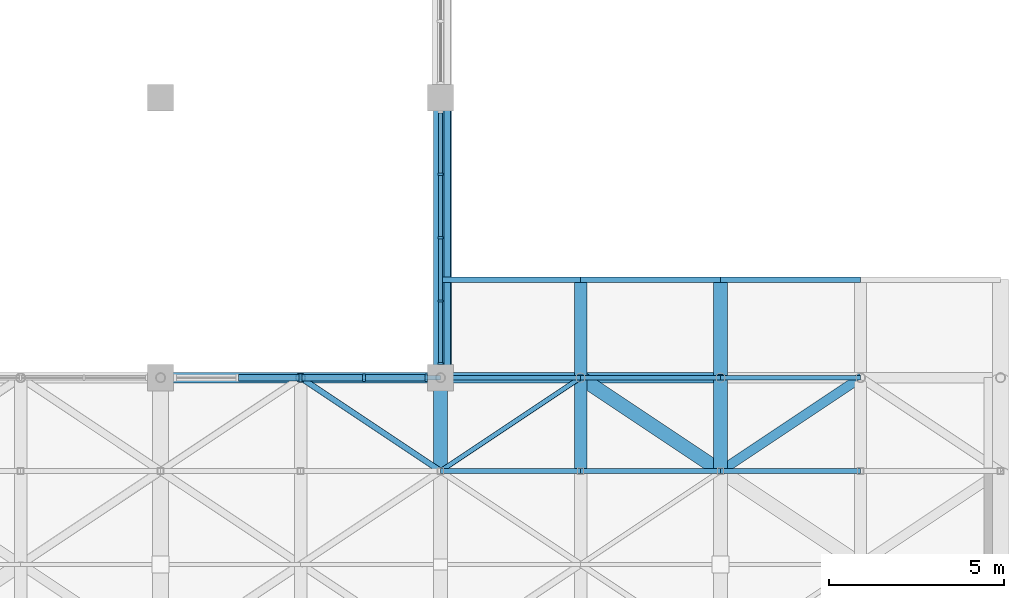
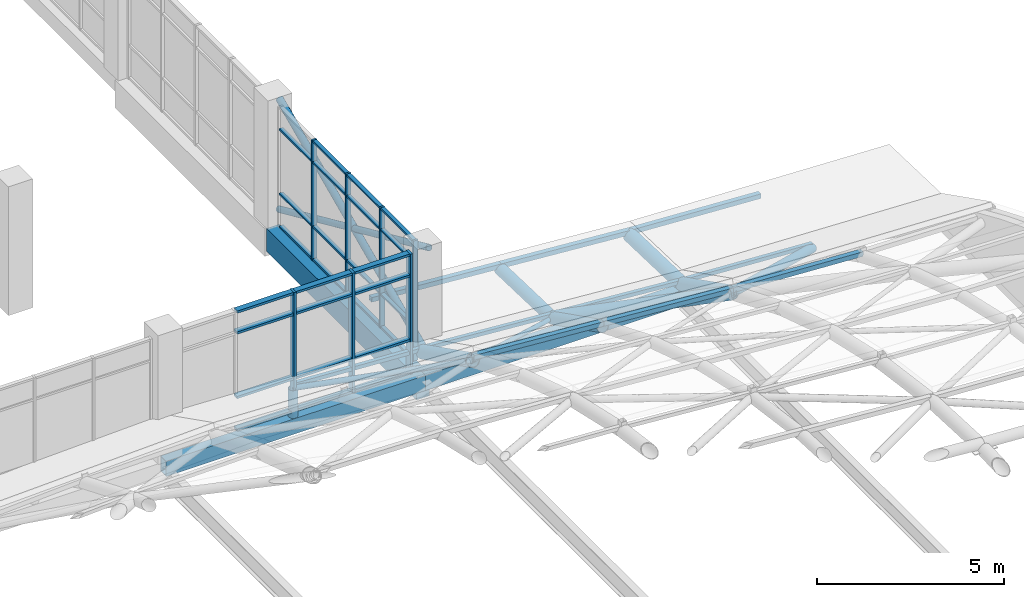
# One storey, part 34 of 72: 51 members, 8 beams, 2 elements without a shape of their own.
"""IFC4 building model written with IfcOpenShell, lengths in metres."""

import ifcopenshell
import ifcopenshell.guid

model = None  # the IFC model being written
_history = None  # IfcOwnerHistory: only IFC2X3 demands one
_inside = {}  # id of a spatial element -> (the spatial element, [elements in it])
_under = {}  # id of a project, library or spatial element -> (it, [spatial elements below it])
_declared = {}  # id of a project -> (the project, [libraries it declares])
_typed = {}  # id of a type object -> (the type object, [elements of that type])
_made_of = {}  # id of a material, layer set ... -> (it, [elements and type objects made of it])


def new_model(schema):
    """Start an empty IFC model of exactly this schema.

    Asked for "IFC4X3", IfcOpenShell would pick the latest addendum, in which some entities
    have other attributes; the version numbers below select the first issue.
    IFC2X3 requires an IfcOwnerHistory on every rooted entity: one is made here for all.
    """
    global model, _history
    if schema == "IFC4X3":
        model = ifcopenshell.file(schema_version=(4, 3, 0, 0))
    else:
        model = ifcopenshell.file(schema=schema)
    _inside.clear()
    _under.clear()
    _declared.clear()
    _typed.clear()
    _made_of.clear()
    _history = None
    if model.schema == "IFC2X3":
        org = make("IfcOrganization", Name="unknown")
        user = make(
            "IfcPersonAndOrganization",
            ThePerson=make("IfcPerson", FamilyName="unknown"),
            TheOrganization=org,
        )
        app = make(
            "IfcApplication",
            ApplicationDeveloper=org,
            Version="unknown",
            ApplicationFullName="unknown",
            ApplicationIdentifier="unknown",
        )
        _history = make(
            "IfcOwnerHistory",
            OwningUser=user,
            OwningApplication=app,
            ChangeAction="ADDED",
            CreationDate=0,
        )
    return model


def make(cls, **values):
    """One entity of the class cls with the attributes given. An attribute that is None is left unset."""
    return model.create_entity(
        cls, **{name: value for name, value in values.items() if value is not None}
    )


def rooted(cls, **values):
    """An entity with a GlobalId (a new one), such as an element, a storey or a relation."""
    return make(cls, GlobalId=ifcopenshell.guid.new(), OwnerHistory=_history, **values)


def si_unit(unit_type, name, prefix=None):
    """IfcSIUnit, for example si_unit("LENGTHUNIT", "METRE", prefix="MILLI")."""
    return make("IfcSIUnit", UnitType=unit_type, Prefix=prefix, Name=name)


def assignment(units):
    """IfcUnitAssignment: the units of a project."""
    return None if units is None else make("IfcUnitAssignment", Units=units)


def point(xyz):
    """IfcCartesianPoint."""
    return None if xyz is None else make("IfcCartesianPoint", Coordinates=xyz)


def direction(xyz):
    """IfcDirection."""
    return None if xyz is None else make("IfcDirection", DirectionRatios=xyz)


def frame(location, z_axis=None, x_axis=None):
    """IfcAxis2Placement3D, a coordinate frame: its origin and axes. An axis left out is left unset."""
    return make(
        "IfcAxis2Placement3D",
        Location=point(location),
        Axis=direction(z_axis),
        RefDirection=direction(x_axis),
    )


def frame_2d(location, x_axis=None):
    """IfcAxis2Placement2D, a coordinate frame in the plane: its origin and x axis."""
    return make(
        "IfcAxis2Placement2D", Location=point(location), RefDirection=direction(x_axis)
    )


def origin():
    """The frame at (0, 0, 0) with its axes left unset."""
    return frame((0.0, 0.0, 0.0))


def origin_2d():
    """The frame at (0, 0) in the plane with its x axis left unset."""
    return frame_2d((0.0, 0.0))


def place(relative_to, where):
    """IfcLocalPlacement: puts the frame where relative to a parent placement (None: the world)."""
    return make(
        "IfcLocalPlacement", PlacementRelTo=relative_to, RelativePlacement=where
    )


def context(
    kind, dimensions, precision=None, world=None, true_north=None, identifier=None
):
    """IfcGeometricRepresentationContext, for example the 3D "Model" context."""
    return make(
        "IfcGeometricRepresentationContext",
        ContextIdentifier=identifier,
        ContextType=kind,
        CoordinateSpaceDimension=dimensions,
        Precision=precision,
        WorldCoordinateSystem=world,
        TrueNorth=true_north,
    )


def subcontext(parent, identifier, kind, view, scale=None):
    """IfcGeometricRepresentationSubContext, for example "Body" below "Model"."""
    return make(
        "IfcGeometricRepresentationSubContext",
        ContextIdentifier=identifier,
        ContextType=kind,
        ParentContext=parent,
        TargetScale=scale,
        TargetView=view,
    )


def project(units=None, contexts=None):
    """IfcProject with its units and contexts."""
    return rooted(
        "IfcProject",
        Name="project",
        RepresentationContexts=contexts,
        UnitsInContext=assignment(units),
    )


def spatial(cls, under=None, at=None, **own):
    """A site, building, storey or space (cls), placed at a placement, below another one or the project."""
    s = rooted(cls, ObjectPlacement=at, **own)
    if under is not None:
        _under.setdefault(under.id(), (under, []))[1].append(s)
    return s


def profile(cls, at=None, kind="AREA", **sizes):
    """A parametric profile (cls). Its sizes go by their IFC names, for example OverallWidth=200.0."""
    return make(cls, ProfileType=kind, Position=at, **sizes)


def rectangle(**sizes):
    """IfcRectangleProfileDef."""
    return profile("IfcRectangleProfileDef", **sizes)


def hollow_rectangle(**sizes):
    """IfcRectangleHollowProfileDef."""
    return profile("IfcRectangleHollowProfileDef", **sizes)


def hollow_circle(**sizes):
    """IfcCircleHollowProfileDef."""
    return profile("IfcCircleHollowProfileDef", **sizes)


def extrude(swept, where, along, depth):
    """IfcExtrudedAreaSolid: the profile swept, set in the frame where, extruded along a direction by depth."""
    return make(
        "IfcExtrudedAreaSolid",
        SweptArea=swept,
        Position=where,
        ExtrudedDirection=direction(along),
        Depth=depth,
    )


def shape(context_of_items, identifier, shape_type, items):
    """IfcShapeRepresentation: the items that make up one representation, for example the "Body"."""
    return make(
        "IfcShapeRepresentation",
        ContextOfItems=context_of_items,
        RepresentationIdentifier=identifier,
        RepresentationType=shape_type,
        Items=items,
    )


def material(Name=None, Category=None):
    """IfcMaterial."""
    return make("IfcMaterial", Name=Name, Category=Category)


def material_profile(
    of_material, cross_section, Name=None, Category=None, Priority=None
):
    """IfcMaterialProfile: a cross section and its material."""
    return make(
        "IfcMaterialProfile",
        Name=Name,
        Material=of_material,
        Profile=cross_section,
        Priority=Priority,
        Category=Category,
    )


def profile_set(profiles, Name=None, composite=None):
    """IfcMaterialProfileSet."""
    return make(
        "IfcMaterialProfileSet",
        Name=Name,
        MaterialProfiles=profiles,
        CompositeProfile=composite,
    )


def made_of(thing, what):
    """Note that an element or type object is made of a material, layer set ...; save() writes the relation."""
    if what is not None:
        _made_of.setdefault(what.id(), (what, []))[1].append(thing)
    return thing


def type_object(cls, material=None, **own):
    """A type object (cls), such as IfcWallType, which elements share."""
    return made_of(rooted(cls, **own), material)


def element(
    cls,
    number,
    at=None,
    inside=None,
    cuts=None,
    type_object=None,
    material=None,
    context=None,
    identifier="Body",
    shape_type=None,
    held_by="IfcProductDefinitionShape",
    body=None,
    shapes=None,
    **own,
):
    """One element of the class cls, such as IfcWall. Its Tag is "e" and its number.

    at: its placement. inside: the storey or other place that contains it. cuts: it is an
    opening in that element (IfcRelVoidsElement). A single representation is given by context,
    identifier, shape_type and body (its items); several are given by shapes. held_by: the class
    of the entity that holds the representations. save() writes the other relations.
    """
    e = rooted(cls, Tag="e%d" % number, ObjectPlacement=at, **own)
    if body is not None:
        shapes = [shape(context, identifier, shape_type, body)]
    if shapes is not None:
        e.Representation = make(held_by, Representations=shapes)
    if inside is not None:
        _inside.setdefault(inside.id(), (inside, []))[1].append(e)
    if cuts is not None:
        rooted(
            "IfcRelVoidsElement", RelatingBuildingElement=cuts, RelatedOpeningElement=e
        )
    if type_object is not None:
        _typed.setdefault(type_object.id(), (type_object, []))[1].append(e)
    return made_of(e, material)


def aggregate(whole, parts):
    """IfcRelAggregates: a whole, such as a stair, and the parts it consists of."""
    return rooted("IfcRelAggregates", RelatingObject=whole, RelatedObjects=parts)


def save(model, path):
    """Write the relations noted so far, then the file.

    IfcRelAggregates (storeys below a building ...), IfcRelContainedInSpatialStructure (elements
    in a storey), IfcRelDefinesByType, IfcRelAssociatesMaterial and IfcRelDeclares: one each for
    every whole, place, type object, material and project.
    """
    for whole, parts in _under.values():
        aggregate(whole, parts)
    for where, things in _inside.values():
        rooted(
            "IfcRelContainedInSpatialStructure",
            RelatedElements=things,
            RelatingStructure=where,
        )
    for kind, things in _typed.values():
        rooted("IfcRelDefinesByType", RelatedObjects=things, RelatingType=kind)
    for what, things in _made_of.values():
        rooted("IfcRelAssociatesMaterial", RelatedObjects=things, RelatingMaterial=what)
    for by, libraries in _declared.values():
        rooted("IfcRelDeclares", RelatingContext=by, RelatedDefinitions=libraries)
    model.write(path)


model = new_model("IFC4")

# Units and contexts
model_context = context("Model", 3, precision=1e-05, world=origin(), true_north=direction((0.0, 1.0)))
body_context = subcontext(model_context, "Body", "Model", "MODEL_VIEW")
ifc_project = project(units=[si_unit("LENGTHUNIT", "METRE"), si_unit("AREAUNIT", "SQUARE_METRE"), si_unit("VOLUMEUNIT", "CUBIC_METRE"), si_unit("PLANEANGLEUNIT", "RADIAN"), si_unit("MASSUNIT", "GRAM", prefix="KILO")], contexts=[model_context])

# Site, building, storey
site_placement = place(None, origin())
site = spatial("IfcSite", under=ifc_project, at=site_placement, CompositionType="ELEMENT")
building_placement = place(site_placement, origin())
building = spatial("IfcBuilding", under=site, at=building_placement, Name="Tenunan Teduh Sports Hall", CompositionType="ELEMENT")
storey_placement = place(building_placement, frame((0.0, 0.0, 15.0)))
storey = spatial("IfcBuildingStorey", under=building, at=storey_placement, Name="L03", CompositionType="ELEMENT", Elevation=15.0)

# Beam
ifc_material_1 = material(Name="Concrete C40/50", Category="concrete")
ifc_material_profile_1 = material_profile(ifc_material_1, rectangle(XDim=0.39990234375, YDim=0.75, at=origin_2d()), Name="RCB 400x750")
ifc_profile_set_1 = profile_set([ifc_material_profile_1], Name="Concrete C40/50")
beam_type_1 = type_object("IfcBeamType", Name="BM-RC-400x750", PredefinedType="BEAM", material=ifc_profile_set_1)
beam_1_placement = place(storey_placement, frame((154.0, 46.0, -0.614990234375), z_axis=(0.0, 1.0, 0.0), x_axis=(-1.0, 0.0, 0.0)))
element("IfcBeam", 1, at=beam_1_placement, inside=storey, type_object=beam_type_1, Name="BM-B-09-L03-1941", PredefinedType="BEAM", context=body_context, shape_type="SweptSolid", body=[
    extrude(rectangle(XDim=0.39990234375, YDim=0.75, at=origin_2d()), origin(), (0.0, 0.0, 1.0), 8.0),
])

# Curtain wall, members
ifc_material_2 = material(Name="Anodised aluminium", Category="aluminium")
curtain_wall_type_1 = type_object("IfcCurtainWallType", Name="CW-UNIT-2", PredefinedType="NOTDEFINED", material=ifc_material_2)
curtain_wall_1_placement = place(storey_placement, origin())
curtain_wall_1 = element("IfcCurtainWall", 2, at=curtain_wall_1_placement, inside=storey, type_object=curtain_wall_type_1, Name="CW-CWM-150-L03-147", PredefinedType="NOTDEFINED")
ifc_material_3 = material(Name="Anodised aluminium", Category="aluminium")
ifc_material_profile_2 = material_profile(ifc_material_3, rectangle(XDim=0.06005859375, YDim=0.14990234375, at=origin_2d()), Name="CWM 60x150")
ifc_profile_set_2 = profile_set([ifc_material_profile_2], Name="Anodised aluminium")
member_type_1 = type_object("IfcMemberType", Name="CWM-150", PredefinedType="MULLION", material=ifc_profile_set_2)
member_1_placement = place(storey_placement, frame((154.0, 46.405029296875, 0.0), z_axis=(0.0, 0.0, 1.0), x_axis=(0.0, 1.0, 0.0)))
member_1 = element("IfcMember", 3, at=member_1_placement, type_object=member_type_1, Name="CW-02 mullion 1", PredefinedType="MULLION", context=body_context, shape_type="SweptSolid", body=[
    extrude(rectangle(XDim=0.06005859375, YDim=0.14990234375, at=origin_2d()), origin(), (0.0, 0.0, 1.0), 3.919921875),
])
member_2_placement = place(storey_placement, frame((154.0, 48.1875, 0.0), z_axis=(0.0, 0.0, 1.0), x_axis=(0.0, 1.0, 0.0)))
member_2 = element("IfcMember", 4, at=member_2_placement, type_object=member_type_1, Name="CW-02 mullion 2", PredefinedType="MULLION", context=body_context, shape_type="SweptSolid", body=[
    extrude(rectangle(XDim=0.06005859375, YDim=0.14990234375, at=origin_2d()), origin(), (0.0, 0.0, 1.0), 3.919921875),
])
member_3_placement = place(storey_placement, frame((154.0, 50.0, 0.0), z_axis=(0.0, 0.0, 1.0), x_axis=(0.0, 1.0, 0.0)))
member_3 = element("IfcMember", 5, at=member_3_placement, type_object=member_type_1, Name="CW-02 mullion 3", PredefinedType="MULLION", context=body_context, shape_type="SweptSolid", body=[
    extrude(rectangle(XDim=0.06005859375, YDim=0.14990234375, at=origin_2d()), origin(), (0.0, 0.0, 1.0), 3.919921875),
])
member_4_placement = place(storey_placement, frame((154.0, 51.8125, 0.0), z_axis=(0.0, 0.0, 1.0), x_axis=(0.0, 1.0, 0.0)))
member_4 = element("IfcMember", 6, at=member_4_placement, type_object=member_type_1, Name="CW-02 mullion 4", PredefinedType="MULLION", context=body_context, shape_type="SweptSolid", body=[
    extrude(rectangle(XDim=0.06005859375, YDim=0.14990234375, at=origin_2d()), origin(), (0.0, 0.0, 1.0), 3.919921875),
])

ifc_material_4 = material(Name="Anodised aluminium", Category="aluminium")
curtain_wall_type_2 = type_object("IfcCurtainWallType", Name="CW-CLER-1", PredefinedType="NOTDEFINED", material=ifc_material_4)
curtain_wall_2_placement = place(storey_placement, origin())
curtain_wall_2 = element("IfcCurtainWall", 7, at=curtain_wall_2_placement, inside=storey, type_object=curtain_wall_type_2, Name="CW-CWM-220-L03-145", PredefinedType="NOTDEFINED")
ifc_material_5 = material(Name="Anodised aluminium", Category="aluminium")
ifc_material_profile_3 = material_profile(ifc_material_5, rectangle(XDim=0.074951171875, YDim=0.219970703125, at=origin_2d()), Name="CWM 75x220")
ifc_profile_set_3 = profile_set([ifc_material_profile_3], Name="Anodised aluminium")
member_type_2 = type_object("IfcMemberType", Name="CWM-220", PredefinedType="MULLION", material=ifc_profile_set_3)
member_5_placement = place(storey_placement, frame((150.0, 46.0, 0.0), z_axis=(0.0, 0.0, 1.0), x_axis=(1.0, 0.0, 0.0)))
member_5 = element("IfcMember", 8, at=member_5_placement, type_object=member_type_2, Name="CW-03 mullion 3", PredefinedType="MULLION", context=body_context, shape_type="SweptSolid", body=[
    extrude(rectangle(XDim=0.074951171875, YDim=0.219970703125, at=origin_2d()), origin(), (0.0, 0.0, 1.0), 3.919921875),
])
member_6_placement = place(storey_placement, frame((151.8125, 46.0, 0.0), z_axis=(0.0, 0.0, 1.0), x_axis=(1.0, 0.0, 0.0)))
member_6 = element("IfcMember", 9, at=member_6_placement, type_object=member_type_2, Name="CW-03 mullion 4", PredefinedType="MULLION", context=body_context, shape_type="SweptSolid", body=[
    extrude(rectangle(XDim=0.074951171875, YDim=0.219970703125, at=origin_2d()), origin(), (0.0, 0.0, 1.0), 3.919921875),
])
member_7_placement = place(storey_placement, frame((153.58740234375, 46.0, 0.0), z_axis=(0.0, 0.0, 1.0), x_axis=(1.0, 0.0, 0.0)))
member_7 = element("IfcMember", 10, at=member_7_placement, type_object=member_type_2, Name="CW-03 mullion 5", PredefinedType="MULLION", context=body_context, shape_type="SweptSolid", body=[
    extrude(rectangle(XDim=0.074951171875, YDim=0.219970703125, at=origin_2d()), origin(), (0.0, 0.0, 1.0), 3.919921875),
])

# Member
ifc_material_6 = material(Name="Anodised aluminium", Category="aluminium")
ifc_material_profile_4 = material_profile(ifc_material_6, rectangle(XDim=0.06005859375, YDim=0.1201171875, at=origin_2d()), Name="CWT 60x120")
ifc_profile_set_4 = profile_set([ifc_material_profile_4], Name="Anodised aluminium")
member_type_3 = type_object("IfcMemberType", Name="CWT-125", PredefinedType="USERDEFINED", material=ifc_profile_set_4)
member_8_placement = place(storey_placement, frame((154.0, 46.43505859375, 0.030029296875), z_axis=(0.0, 1.0, 0.0), x_axis=(0.0, 0.0, 1.0)))
member_8 = element("IfcMember", 11, at=member_8_placement, type_object=member_type_3, Name="CW-02 transom 1.1", ObjectType="TRANSOM", PredefinedType="USERDEFINED", context=body_context, shape_type="SweptSolid", body=[
    extrude(rectangle(XDim=0.06005859375, YDim=0.1201171875, at=origin_2d()), origin(), (0.0, 0.0, 1.0), 1.722412109375),
])

member_9_placement = place(storey_placement, frame((154.0, 46.43505859375, 1.10009765625), z_axis=(0.0, 1.0, 0.0), x_axis=(0.0, 0.0, 1.0)))
member_9 = element("IfcMember", 12, at=member_9_placement, type_object=member_type_3, Name="CW-02 transom 1.2", ObjectType="TRANSOM", PredefinedType="USERDEFINED", context=body_context, shape_type="SweptSolid", body=[
    extrude(rectangle(XDim=0.06005859375, YDim=0.1201171875, at=origin_2d()), origin(), (0.0, 0.0, 1.0), 1.722412109375),
])

member_10_placement = place(storey_placement, frame((154.0, 46.43505859375, 3.199951171875), z_axis=(0.0, 1.0, 0.0), x_axis=(0.0, 0.0, 1.0)))
member_10 = element("IfcMember", 13, at=member_10_placement, type_object=member_type_3, Name="CW-02 transom 1.3", ObjectType="TRANSOM", PredefinedType="USERDEFINED", context=body_context, shape_type="SweptSolid", body=[
    extrude(rectangle(XDim=0.06005859375, YDim=0.1201171875, at=origin_2d()), origin(), (0.0, 0.0, 1.0), 1.722412109375),
])

member_11_placement = place(storey_placement, frame((154.0, 46.43505859375, 3.889892578125), z_axis=(0.0, 1.0, 0.0), x_axis=(0.0, 0.0, 1.0)))
member_11 = element("IfcMember", 14, at=member_11_placement, type_object=member_type_3, Name="CW-02 transom 1.4", ObjectType="TRANSOM", PredefinedType="USERDEFINED", context=body_context, shape_type="SweptSolid", body=[
    extrude(rectangle(XDim=0.06005859375, YDim=0.1201171875, at=origin_2d()), origin(), (0.0, 0.0, 1.0), 1.722412109375),
])

member_12_placement = place(storey_placement, frame((154.0, 48.217529296875, 0.030029296875), z_axis=(0.0, 1.0, 0.0), x_axis=(0.0, 0.0, 1.0)))
member_12 = element("IfcMember", 15, at=member_12_placement, type_object=member_type_3, Name="CW-02 transom 2.1", ObjectType="TRANSOM", PredefinedType="USERDEFINED", context=body_context, shape_type="SweptSolid", body=[
    extrude(rectangle(XDim=0.06005859375, YDim=0.1201171875, at=origin_2d()), origin(), (0.0, 0.0, 1.0), 1.75244140625),
])

member_13_placement = place(storey_placement, frame((154.0, 48.217529296875, 1.10009765625), z_axis=(0.0, 1.0, 0.0), x_axis=(0.0, 0.0, 1.0)))
member_13 = element("IfcMember", 16, at=member_13_placement, type_object=member_type_3, Name="CW-02 transom 2.2", ObjectType="TRANSOM", PredefinedType="USERDEFINED", context=body_context, shape_type="SweptSolid", body=[
    extrude(rectangle(XDim=0.06005859375, YDim=0.1201171875, at=origin_2d()), origin(), (0.0, 0.0, 1.0), 1.75244140625),
])

member_14_placement = place(storey_placement, frame((154.0, 48.217529296875, 3.199951171875), z_axis=(0.0, 1.0, 0.0), x_axis=(0.0, 0.0, 1.0)))
member_14 = element("IfcMember", 17, at=member_14_placement, type_object=member_type_3, Name="CW-02 transom 2.3", ObjectType="TRANSOM", PredefinedType="USERDEFINED", context=body_context, shape_type="SweptSolid", body=[
    extrude(rectangle(XDim=0.06005859375, YDim=0.1201171875, at=origin_2d()), origin(), (0.0, 0.0, 1.0), 1.75244140625),
])

member_15_placement = place(storey_placement, frame((154.0, 48.217529296875, 3.889892578125), z_axis=(0.0, 1.0, 0.0), x_axis=(0.0, 0.0, 1.0)))
member_15 = element("IfcMember", 18, at=member_15_placement, type_object=member_type_3, Name="CW-02 transom 2.4", ObjectType="TRANSOM", PredefinedType="USERDEFINED", context=body_context, shape_type="SweptSolid", body=[
    extrude(rectangle(XDim=0.06005859375, YDim=0.1201171875, at=origin_2d()), origin(), (0.0, 0.0, 1.0), 1.75244140625),
])

member_16_placement = place(storey_placement, frame((154.0, 50.030029296875, 0.030029296875), z_axis=(0.0, 1.0, 0.0), x_axis=(0.0, 0.0, 1.0)))
member_16 = element("IfcMember", 19, at=member_16_placement, type_object=member_type_3, Name="CW-02 transom 3.1", ObjectType="TRANSOM", PredefinedType="USERDEFINED", context=body_context, shape_type="SweptSolid", body=[
    extrude(rectangle(XDim=0.06005859375, YDim=0.1201171875, at=origin_2d()), origin(), (0.0, 0.0, 1.0), 1.75244140625),
])

member_17_placement = place(storey_placement, frame((154.0, 50.030029296875, 1.10009765625), z_axis=(0.0, 1.0, 0.0), x_axis=(0.0, 0.0, 1.0)))
member_17 = element("IfcMember", 20, at=member_17_placement, type_object=member_type_3, Name="CW-02 transom 3.2", ObjectType="TRANSOM", PredefinedType="USERDEFINED", context=body_context, shape_type="SweptSolid", body=[
    extrude(rectangle(XDim=0.06005859375, YDim=0.1201171875, at=origin_2d()), origin(), (0.0, 0.0, 1.0), 1.75244140625),
])

member_18_placement = place(storey_placement, frame((154.0, 50.030029296875, 3.199951171875), z_axis=(0.0, 1.0, 0.0), x_axis=(0.0, 0.0, 1.0)))
member_18 = element("IfcMember", 21, at=member_18_placement, type_object=member_type_3, Name="CW-02 transom 3.3", ObjectType="TRANSOM", PredefinedType="USERDEFINED", context=body_context, shape_type="SweptSolid", body=[
    extrude(rectangle(XDim=0.06005859375, YDim=0.1201171875, at=origin_2d()), origin(), (0.0, 0.0, 1.0), 1.75244140625),
])

member_19_placement = place(storey_placement, frame((154.0, 50.030029296875, 3.889892578125), z_axis=(0.0, 1.0, 0.0), x_axis=(0.0, 0.0, 1.0)))
member_19 = element("IfcMember", 22, at=member_19_placement, type_object=member_type_3, Name="CW-02 transom 3.4", ObjectType="TRANSOM", PredefinedType="USERDEFINED", context=body_context, shape_type="SweptSolid", body=[
    extrude(rectangle(XDim=0.06005859375, YDim=0.1201171875, at=origin_2d()), origin(), (0.0, 0.0, 1.0), 1.75244140625),
])

member_20_placement = place(storey_placement, frame((154.0, 51.842529296875, 0.030029296875), z_axis=(0.0, 1.0, 0.0), x_axis=(0.0, 0.0, 1.0)))
member_20 = element("IfcMember", 23, at=member_20_placement, type_object=member_type_3, Name="CW-02 transom 4.1", ObjectType="TRANSOM", PredefinedType="USERDEFINED", context=body_context, shape_type="SweptSolid", body=[
    extrude(rectangle(XDim=0.06005859375, YDim=0.1201171875, at=origin_2d()), origin(), (0.0, 0.0, 1.0), 1.722412109375),
])

member_21_placement = place(storey_placement, frame((154.0, 51.842529296875, 1.10009765625), z_axis=(0.0, 1.0, 0.0), x_axis=(0.0, 0.0, 1.0)))
member_21 = element("IfcMember", 24, at=member_21_placement, type_object=member_type_3, Name="CW-02 transom 4.2", ObjectType="TRANSOM", PredefinedType="USERDEFINED", context=body_context, shape_type="SweptSolid", body=[
    extrude(rectangle(XDim=0.06005859375, YDim=0.1201171875, at=origin_2d()), origin(), (0.0, 0.0, 1.0), 1.722412109375),
])

member_22_placement = place(storey_placement, frame((154.0, 51.842529296875, 3.199951171875), z_axis=(0.0, 1.0, 0.0), x_axis=(0.0, 0.0, 1.0)))
member_22 = element("IfcMember", 25, at=member_22_placement, type_object=member_type_3, Name="CW-02 transom 4.3", ObjectType="TRANSOM", PredefinedType="USERDEFINED", context=body_context, shape_type="SweptSolid", body=[
    extrude(rectangle(XDim=0.06005859375, YDim=0.1201171875, at=origin_2d()), origin(), (0.0, 0.0, 1.0), 1.722412109375),
])

aggregate(curtain_wall_1, [member_1, member_2, member_3, member_4, member_8, member_9, member_10, member_11, member_12, member_13, member_14, member_15, member_16, member_17, member_18, member_19, member_20, member_21, member_22])

ifc_material_7 = material(Name="Anodised aluminium", Category="aluminium")
ifc_material_profile_5 = material_profile(ifc_material_7, rectangle(XDim=0.074951171875, YDim=0.179931640625, at=origin_2d()), Name="CWT 75x180")
ifc_profile_set_5 = profile_set([ifc_material_profile_5], Name="Anodised aluminium")
member_type_4 = type_object("IfcMemberType", Name="CWT-180", PredefinedType="USERDEFINED", material=ifc_profile_set_5)
member_23_placement = place(storey_placement, frame((148.22509765625, 46.0, 0.03759765625), z_axis=(1.0, 0.0, 0.0), x_axis=(0.0, 0.0, 1.0)))
member_23 = element("IfcMember", 26, at=member_23_placement, type_object=member_type_4, Name="CW-03 transom 2.1", ObjectType="TRANSOM", PredefinedType="USERDEFINED", context=body_context, shape_type="SweptSolid", body=[
    extrude(rectangle(XDim=0.074951171875, YDim=0.179931640625, at=origin_2d()), origin(), (0.0, 0.0, 1.0), 1.7373046875),
])

member_24_placement = place(storey_placement, frame((148.22509765625, 46.0, 1.10009765625), z_axis=(1.0, 0.0, 0.0), x_axis=(0.0, 0.0, 1.0)))
member_24 = element("IfcMember", 27, at=member_24_placement, type_object=member_type_4, Name="CW-03 transom 2.2", ObjectType="TRANSOM", PredefinedType="USERDEFINED", context=body_context, shape_type="SweptSolid", body=[
    extrude(rectangle(XDim=0.074951171875, YDim=0.179931640625, at=origin_2d()), origin(), (0.0, 0.0, 1.0), 1.7373046875),
])

member_25_placement = place(storey_placement, frame((148.22509765625, 46.0, 3.199951171875), z_axis=(1.0, 0.0, 0.0), x_axis=(0.0, 0.0, 1.0)))
member_25 = element("IfcMember", 28, at=member_25_placement, type_object=member_type_4, Name="CW-03 transom 2.3", ObjectType="TRANSOM", PredefinedType="USERDEFINED", context=body_context, shape_type="SweptSolid", body=[
    extrude(rectangle(XDim=0.074951171875, YDim=0.179931640625, at=origin_2d()), origin(), (0.0, 0.0, 1.0), 1.7373046875),
])

member_26_placement = place(storey_placement, frame((148.22509765625, 46.0, 3.882568359375), z_axis=(1.0, 0.0, 0.0), x_axis=(0.0, 0.0, 1.0)))
member_26 = element("IfcMember", 29, at=member_26_placement, type_object=member_type_4, Name="CW-03 transom 2.4", ObjectType="TRANSOM", PredefinedType="USERDEFINED", context=body_context, shape_type="SweptSolid", body=[
    extrude(rectangle(XDim=0.074951171875, YDim=0.179931640625, at=origin_2d()), origin(), (0.0, 0.0, 1.0), 1.7373046875),
])

member_27_placement = place(storey_placement, frame((150.03759765625, 46.0, 0.03759765625), z_axis=(1.0, 0.0, 0.0), x_axis=(0.0, 0.0, 1.0)))
member_27 = element("IfcMember", 30, at=member_27_placement, type_object=member_type_4, Name="CW-03 transom 3.1", ObjectType="TRANSOM", PredefinedType="USERDEFINED", context=body_context, shape_type="SweptSolid", body=[
    extrude(rectangle(XDim=0.074951171875, YDim=0.179931640625, at=origin_2d()), origin(), (0.0, 0.0, 1.0), 1.7373046875),
])

member_28_placement = place(storey_placement, frame((150.03759765625, 46.0, 1.10009765625), z_axis=(1.0, 0.0, 0.0), x_axis=(0.0, 0.0, 1.0)))
member_28 = element("IfcMember", 31, at=member_28_placement, type_object=member_type_4, Name="CW-03 transom 3.2", ObjectType="TRANSOM", PredefinedType="USERDEFINED", context=body_context, shape_type="SweptSolid", body=[
    extrude(rectangle(XDim=0.074951171875, YDim=0.179931640625, at=origin_2d()), origin(), (0.0, 0.0, 1.0), 1.7373046875),
])

member_29_placement = place(storey_placement, frame((150.03759765625, 46.0, 3.199951171875), z_axis=(1.0, 0.0, 0.0), x_axis=(0.0, 0.0, 1.0)))
member_29 = element("IfcMember", 32, at=member_29_placement, type_object=member_type_4, Name="CW-03 transom 3.3", ObjectType="TRANSOM", PredefinedType="USERDEFINED", context=body_context, shape_type="SweptSolid", body=[
    extrude(rectangle(XDim=0.074951171875, YDim=0.179931640625, at=origin_2d()), origin(), (0.0, 0.0, 1.0), 1.7373046875),
])

member_30_placement = place(storey_placement, frame((150.03759765625, 46.0, 3.882568359375), z_axis=(1.0, 0.0, 0.0), x_axis=(0.0, 0.0, 1.0)))
member_30 = element("IfcMember", 33, at=member_30_placement, type_object=member_type_4, Name="CW-03 transom 3.4", ObjectType="TRANSOM", PredefinedType="USERDEFINED", context=body_context, shape_type="SweptSolid", body=[
    extrude(rectangle(XDim=0.074951171875, YDim=0.179931640625, at=origin_2d()), origin(), (0.0, 0.0, 1.0), 1.7373046875),
])

member_31_placement = place(storey_placement, frame((151.85009765625, 46.0, 0.03759765625), z_axis=(1.0, 0.0, 0.0), x_axis=(0.0, 0.0, 1.0)))
member_31 = element("IfcMember", 34, at=member_31_placement, type_object=member_type_4, Name="CW-03 transom 4.1", ObjectType="TRANSOM", PredefinedType="USERDEFINED", context=body_context, shape_type="SweptSolid", body=[
    extrude(rectangle(XDim=0.074951171875, YDim=0.179931640625, at=origin_2d()), origin(), (0.0, 0.0, 1.0), 1.699951171875),
])

member_32_placement = place(storey_placement, frame((151.85009765625, 46.0, 1.10009765625), z_axis=(1.0, 0.0, 0.0), x_axis=(0.0, 0.0, 1.0)))
member_32 = element("IfcMember", 35, at=member_32_placement, type_object=member_type_4, Name="CW-03 transom 4.2", ObjectType="TRANSOM", PredefinedType="USERDEFINED", context=body_context, shape_type="SweptSolid", body=[
    extrude(rectangle(XDim=0.074951171875, YDim=0.179931640625, at=origin_2d()), origin(), (0.0, 0.0, 1.0), 1.699951171875),
])

member_33_placement = place(storey_placement, frame((151.85009765625, 46.0, 3.199951171875), z_axis=(1.0, 0.0, 0.0), x_axis=(0.0, 0.0, 1.0)))
member_33 = element("IfcMember", 36, at=member_33_placement, type_object=member_type_4, Name="CW-03 transom 4.3", ObjectType="TRANSOM", PredefinedType="USERDEFINED", context=body_context, shape_type="SweptSolid", body=[
    extrude(rectangle(XDim=0.074951171875, YDim=0.179931640625, at=origin_2d()), origin(), (0.0, 0.0, 1.0), 1.699951171875),
])

member_34_placement = place(storey_placement, frame((151.85009765625, 46.0, 3.882568359375), z_axis=(1.0, 0.0, 0.0), x_axis=(0.0, 0.0, 1.0)))
member_34 = element("IfcMember", 37, at=member_34_placement, type_object=member_type_4, Name="CW-03 transom 4.4", ObjectType="TRANSOM", PredefinedType="USERDEFINED", context=body_context, shape_type="SweptSolid", body=[
    extrude(rectangle(XDim=0.074951171875, YDim=0.179931640625, at=origin_2d()), origin(), (0.0, 0.0, 1.0), 1.699951171875),
])

aggregate(curtain_wall_2, [member_5, member_6, member_7, member_23, member_24, member_25, member_26, member_27, member_28, member_29, member_30, member_31, member_32, member_33, member_34])

# Beams
ifc_material_8 = material(Name="Steel S355", Category="steel")
ifc_material_profile_6 = material_profile(ifc_material_8, hollow_circle(Radius=0.177734375, WallThickness=0.012451171875, at=origin_2d()), Name="CHS 355.6x12.5")
ifc_profile_set_6 = profile_set([ifc_material_profile_6], Name="Steel S355")
beam_type_2 = type_object("IfcBeamType", Name="GSB-CHS356", PredefinedType="BEAM", material=ifc_profile_set_6)
beam_2_placement = place(storey_placement, frame((158.0, 43.333251953125, 1.5654296875), z_axis=(0.0, 0.893033000477, -0.449991177756), x_axis=(-1.0, 0.0, 0.0)))
element("IfcBeam", 38, at=beam_2_placement, inside=storey, type_object=beam_type_2, Name="Gridshell Vault Arch BM-GR-04-L03-0198", PredefinedType="BEAM", context=body_context, shape_type="SweptSolid", body=[
    extrude(hollow_circle(Radius=0.177734375, WallThickness=0.012451171875, at=origin_2d()), origin(), (0.0, 0.0, 1.0), 2.986083984375),
])
beam_3_placement = place(storey_placement, frame((158.0, 46.0, 0.2216796875), z_axis=(0.0, 0.999529350566, -0.030676984166), x_axis=(-1.0, 0.0, 0.0)))
element("IfcBeam", 39, at=beam_3_placement, inside=storey, type_object=beam_type_2, Name="Gridshell Vault Arch BM-GR-04-L03-0199", PredefinedType="BEAM", context=body_context, shape_type="SweptSolid", body=[
    extrude(hollow_circle(Radius=0.177734375, WallThickness=0.012451171875, at=origin_2d()), origin(), (0.0, 0.0, 1.0), 2.80126953125),
])
ifc_material_9 = material(Name="Steel S355", Category="steel")
ifc_material_profile_7 = material_profile(ifc_material_9, hollow_circle(Radius=0.203125, WallThickness=0.01611328125, at=origin_2d()), Name="CHS 406.4x16.0")
ifc_profile_set_7 = profile_set([ifc_material_profile_7], Name="Steel S355")
beam_type_3 = type_object("IfcBeamType", Name="GSB-CHS406", PredefinedType="BEAM", material=ifc_profile_set_7)
for number, where, z_axis, x_axis, name in (
    (40, (154.0, 43.333251953125, 1.8623046875), (0.0, 0.893033000477, -0.449991177756), (-1.0, 0.0, 0.0), "Gridshell Vault Arch BM-GA-02-L03-0185"),
    (41, (162.0, 43.333251953125, 1.2646484375), (0.0, 0.893033000477, -0.449991177756), (-1.0, 0.0, 0.0), "Gridshell Vault Arch BM-GA-02-L03-0212"),
):
    element("IfcBeam", number, at=place(storey_placement, frame(where, z_axis=z_axis, x_axis=x_axis)), inside=storey, type_object=beam_type_3, Name=name, PredefinedType="BEAM", context=body_context, shape_type="SweptSolid", body=[
        extrude(hollow_circle(Radius=0.203125, WallThickness=0.01611328125, at=origin_2d()), origin(), (0.0, 0.0, 1.0), 2.986083984375),
    ])
beam_4_placement = place(storey_placement, frame((162.0, 46.0, -0.0791015625), z_axis=(0.0, 0.999529350566, -0.030676984166), x_axis=(-1.0, 0.0, 0.0)))
element("IfcBeam", 42, at=beam_4_placement, inside=storey, type_object=beam_type_3, Name="Gridshell Vault Arch BM-GA-02-L03-0213", PredefinedType="BEAM", context=body_context, shape_type="SweptSolid", body=[
    extrude(hollow_circle(Radius=0.203125, WallThickness=0.01611328125, at=origin_2d()), origin(), (0.0, 0.0, 1.0), 2.80126953125),
])

# Members
ifc_material_10 = material(Name="Steel S355", Category="steel")
ifc_material_profile_8 = material_profile(ifc_material_10, hollow_circle(Radius=0.06982421875, WallThickness=0.00634765625, at=origin_2d()), Name="CHS 139.7x6.3")
ifc_profile_set_8 = profile_set([ifc_material_profile_8], Name="Steel S355")
member_type_5 = type_object("IfcMemberType", Name="MEM-BR-CHS140", PredefinedType="BRACE", material=ifc_profile_set_8)
member_35_placement = place(storey_placement, frame((154.0, 43.333251953125, 1.8623046875), z_axis=(0.787450466452, 0.524982998356, -0.322977730381), x_axis=(-0.554711915519, 0.832042481356, 0.0)))
element("IfcMember", 43, at=member_35_placement, inside=storey, type_object=member_type_5, Name="MEM-GD-05-L03-0328", PredefinedType="BRACE", context=body_context, shape_type="SweptSolid", body=[
    extrude(hollow_circle(Radius=0.06982421875, WallThickness=0.00634765625, at=origin_2d()), origin(), (0.0, 0.0, 1.0), 5.07958984375),
])
ifc_material_11 = material(Name="Steel S355", Category="steel")
ifc_material_profile_9 = material_profile(ifc_material_11, hollow_circle(Radius=0.084228515625, WallThickness=0.008056640625, at=origin_2d()), Name="CHS 168.3x8.0")
ifc_profile_set_9 = profile_set([ifc_material_profile_9], Name="Steel S355")
member_type_6 = type_object("IfcMemberType", Name="MEM-BR-CHS168", PredefinedType="BRACE", material=ifc_profile_set_9)
member_36_placement = place(storey_placement, frame((150.0, 46.0, 0.7412109375), z_axis=(0.810301264232, -0.540217328443, 0.227105920737), x_axis=(0.554711915519, 0.832042481356, 0.0)))
element("IfcMember", 44, at=member_36_placement, inside=storey, type_object=member_type_6, Name="MEM-GD-04-L03-0301", PredefinedType="BRACE", context=body_context, shape_type="SweptSolid", body=[
    extrude(hollow_circle(Radius=0.084228515625, WallThickness=0.008056640625, at=origin_2d()), origin(), (0.0, 0.0, 1.0), 4.9365234375),
])
ifc_material_12 = material(Name="Steel S355", Category="steel")
ifc_material_profile_10 = material_profile(ifc_material_12, hollow_circle(Radius=0.096923828125, WallThickness=0.008056640625, at=origin_2d()), Name="CHS 193.7x8.0")
ifc_profile_set_10 = profile_set([ifc_material_profile_10], Name="Steel S355")
member_type_7 = type_object("IfcMemberType", Name="MEM-BR-CHS194", PredefinedType="BRACE", material=ifc_profile_set_10)
member_37_placement = place(storey_placement, frame((154.18994140625, 54.0, 0.25), z_axis=(0.0, -0.91191733938, 0.410373934525), x_axis=(1.0, 0.0, 0.0)))
element("IfcMember", 45, at=member_37_placement, inside=storey, type_object=member_type_7, Name="MEM-GD-03-L03-1101", PredefinedType="BRACE", context=body_context, shape_type="SweptSolid", body=[
    extrude(hollow_circle(Radius=0.096923828125, WallThickness=0.008056640625, at=origin_2d()), origin(), (0.0, 0.0, 1.0), 8.772705078125),
])
ifc_material_13 = material(Name="Steel S355", Category="steel")
ifc_material_profile_11 = material_profile(ifc_material_13, hollow_circle(Radius=0.109619140625, WallThickness=0.010009765625, at=origin_2d()), Name="CHS 219.1x10.0")
ifc_profile_set_11 = profile_set([ifc_material_profile_11], Name="Steel S355")
member_type_8 = type_object("IfcMemberType", Name="MEM-BR-CHS219", PredefinedType="BRACE", material=ifc_profile_set_11)
member_38_placement = place(storey_placement, frame((154.199951171875, 46.0, 0.25), z_axis=(0.0, 0.91191733938, 0.410373934525), x_axis=(-1.0, 0.0, 0.0)))
element("IfcMember", 46, at=member_38_placement, inside=storey, type_object=member_type_8, Name="MEM-GD-02-L03-1100", PredefinedType="BRACE", context=body_context, shape_type="SweptSolid", body=[
    extrude(hollow_circle(Radius=0.109619140625, WallThickness=0.010009765625, at=origin_2d()), origin(), (0.0, 0.0, 1.0), 8.772705078125),
])
ifc_material_14 = material(Name="Steel S355", Category="steel")
ifc_material_profile_12 = material_profile(ifc_material_14, hollow_circle(Radius=0.136474609375, WallThickness=0.010009765625, at=origin_2d()), Name="CHS 273.0x10.0")
ifc_profile_set_12 = profile_set([ifc_material_profile_12], Name="Steel S355")
member_type_9 = type_object("IfcMemberType", Name="MEM-CH-CHS273", PredefinedType="CHORD", material=ifc_profile_set_12)
member_39_placement = place(storey_placement, frame((162.0, 43.333251953125, 1.2646484375), z_axis=(0.791296886436, 0.5275473566, -0.309100346264), x_axis=(-0.554711915519, 0.832042481356, 0.0)))
element("IfcMember", 47, at=member_39_placement, inside=storey, type_object=member_type_9, Name="MEM-GC-03-L03-0382", PredefinedType="CHORD", context=body_context, shape_type="SweptSolid", body=[
    extrude(hollow_circle(Radius=0.136474609375, WallThickness=0.010009765625, at=origin_2d()), origin(), (0.0, 0.0, 1.0), 5.054931640625),
])
ifc_material_15 = material(Name="Steel S355", Category="steel")
ifc_material_profile_13 = material_profile(ifc_material_15, hollow_circle(Radius=0.203125, WallThickness=0.012451171875, at=origin_2d()), Name="CHS 406.4x12.5")
ifc_profile_set_13 = profile_set([ifc_material_profile_13], Name="Steel S355")
member_type_10 = type_object("IfcMemberType", Name="MEM-CH-CHS406L", PredefinedType="CHORD", material=ifc_profile_set_13)
member_40_placement = place(storey_placement, frame((158.0, 46.0, 0.2216796875), z_axis=(0.813126901845, -0.542101144339, 0.212016487102), x_axis=(0.554711915519, 0.832042481356, 0.0)))
element("IfcMember", 48, at=member_40_placement, inside=storey, type_object=member_type_10, Name="MEM-GC-01-L03-0355", PredefinedType="CHORD", context=body_context, shape_type="SweptSolid", body=[
    extrude(hollow_circle(Radius=0.203125, WallThickness=0.012451171875, at=origin_2d()), origin(), (0.0, 0.0, 1.0), 4.919189453125),
])
ifc_material_16 = material(Name="Steel S355", Category="steel")
ifc_material_profile_14 = material_profile(ifc_material_16, hollow_rectangle(XDim=0.1201171875, YDim=0.1201171875, WallThickness=0.00634765625, at=origin_2d()), Name="SHS 120x120x6.3")
ifc_profile_set_14 = profile_set([ifc_material_profile_14], Name="Steel S355")
member_type_11 = type_object("IfcMemberType", Name="MEM-PR-SHS120", PredefinedType="PURLIN", material=ifc_profile_set_14)
member_41_placement = place(storey_placement, frame((150.0, 46.0, 0.861083984375), z_axis=(0.998454347037, 0.0, -0.055578025177), x_axis=(0.0, 1.0, 0.0)))
element("IfcMember", 49, at=member_41_placement, inside=storey, type_object=member_type_11, Name="MEM-PR-02-L03-0289", PredefinedType="PURLIN", context=body_context, shape_type="SweptSolid", body=[
    extrude(hollow_rectangle(XDim=0.1201171875, YDim=0.1201171875, WallThickness=0.00634765625, at=origin_2d()), origin(), (0.0, 0.0, 1.0), 4.006103515625),
])
member_42_placement = place(storey_placement, frame((154.0, 46.0, 0.638427734375), z_axis=(0.997257115114, 0.0, -0.074015176512), x_axis=(0.0, 1.0, 0.0)))
element("IfcMember", 50, at=member_42_placement, inside=storey, type_object=member_type_11, Name="MEM-PR-02-L03-0315", PredefinedType="PURLIN", context=body_context, shape_type="SweptSolid", body=[
    extrude(hollow_rectangle(XDim=0.1201171875, YDim=0.1201171875, WallThickness=0.00634765625, at=origin_2d()), origin(), (0.0, 0.0, 1.0), 4.010986328125),
])
member_43_placement = place(storey_placement, frame((158.0, 46.0, 0.341552734375), z_axis=(0.997184765588, 0.0, -0.074983620069), x_axis=(0.0, 1.0, 0.0)))
element("IfcMember", 51, at=member_43_placement, inside=storey, type_object=member_type_11, Name="MEM-PR-02-L03-0342", PredefinedType="PURLIN", context=body_context, shape_type="SweptSolid", body=[
    extrude(hollow_rectangle(XDim=0.1201171875, YDim=0.1201171875, WallThickness=0.00634765625, at=origin_2d()), origin(), (0.0, 0.0, 1.0), 4.01123046875),
])
member_44_placement = place(storey_placement, frame((162.0, 46.0, 0.040771484375), z_axis=(0.998507984492, 0.0, -0.054605905402), x_axis=(0.0, 1.0, 0.0)))
element("IfcMember", 52, at=member_44_placement, inside=storey, type_object=member_type_11, Name="MEM-PR-02-L03-0369", PredefinedType="PURLIN", context=body_context, shape_type="SweptSolid", body=[
    extrude(hollow_rectangle(XDim=0.1201171875, YDim=0.1201171875, WallThickness=0.00634765625, at=origin_2d()), origin(), (0.0, 0.0, 1.0), 4.005859375),
])
ifc_material_17 = material(Name="Steel S355", Category="steel")
ifc_material_profile_15 = material_profile(ifc_material_17, hollow_rectangle(XDim=0.14990234375, YDim=0.14990234375, WallThickness=0.008056640625, at=origin_2d()), Name="SHS 150x150x8.0")
ifc_profile_set_15 = profile_set([ifc_material_profile_15], Name="Steel S355")
member_type_12 = type_object("IfcMemberType", Name="MEM-PR-SHS150", PredefinedType="PURLIN", material=ifc_profile_set_15)
for number, where, z_axis, x_axis, name in (
    (53, (154.0, 43.333251953125, 1.982177734375), (0.997257115114, 0.0, -0.074015176512), (0.0, 1.0, 0.0), "MEM-PR-01-L03-0314"),
    (54, (154.0, 48.800048828125, 0.552490234375), (0.997257115114, 0.0, -0.074015176512), (0.0, 1.0, 0.0), "MEM-PR-01-L03-0316"),
):
    element("IfcMember", number, at=place(storey_placement, frame(where, z_axis=z_axis, x_axis=x_axis)), inside=storey, type_object=member_type_12, Name=name, PredefinedType="PURLIN", context=body_context, shape_type="SweptSolid", body=[
        extrude(hollow_rectangle(XDim=0.14990234375, YDim=0.14990234375, WallThickness=0.008056640625, at=origin_2d()), origin(), (0.0, 0.0, 1.0), 4.010986328125),
    ])
for number, where, z_axis, x_axis, name in (
    (55, (158.0, 43.333251953125, 1.685302734375), (0.997184765588, 0.0, -0.074983620069), (0.0, 1.0, 0.0), "MEM-PR-01-L03-0341"),
    (56, (158.0, 48.800048828125, 0.255615234375), (0.997184765588, 0.0, -0.074983620069), (0.0, 1.0, 0.0), "MEM-PR-01-L03-0343"),
):
    element("IfcMember", number, at=place(storey_placement, frame(where, z_axis=z_axis, x_axis=x_axis)), inside=storey, type_object=member_type_12, Name=name, PredefinedType="PURLIN", context=body_context, shape_type="SweptSolid", body=[
        extrude(hollow_rectangle(XDim=0.14990234375, YDim=0.14990234375, WallThickness=0.008056640625, at=origin_2d()), origin(), (0.0, 0.0, 1.0), 4.01123046875),
    ])
for number, where, z_axis, x_axis, name in (
    (57, (162.0, 43.333251953125, 1.384521484375), (0.998507984492, 0.0, -0.054605905402), (0.0, 1.0, 0.0), "MEM-PR-01-L03-0368"),
    (58, (162.0, 48.800048828125, -0.045166015625), (0.998507984492, 0.0, -0.054605905402), (0.0, 1.0, 0.0), "MEM-PR-01-L03-0370"),
):
    element("IfcMember", number, at=place(storey_placement, frame(where, z_axis=z_axis, x_axis=x_axis)), inside=storey, type_object=member_type_12, Name=name, PredefinedType="PURLIN", context=body_context, shape_type="SweptSolid", body=[
        extrude(hollow_rectangle(XDim=0.14990234375, YDim=0.14990234375, WallThickness=0.008056640625, at=origin_2d()), origin(), (0.0, 0.0, 1.0), 4.005859375),
    ])
ifc_material_18 = material(Name="Steel S355", Category="steel")
ifc_material_profile_16 = material_profile(ifc_material_18, hollow_circle(Radius=0.136474609375, WallThickness=0.010009765625, at=origin_2d()), Name="CHS 273.0x10.0")
ifc_profile_set_16 = profile_set([ifc_material_profile_16], Name="Steel S355")
member_type_13 = type_object("IfcMemberType", Name="MEM-ST-CHS273", PredefinedType="STRUT", material=ifc_profile_set_16)
member_45_placement = place(storey_placement, frame((150.0, 46.0, -0.35009765625), z_axis=(0.0, 0.0, 1.0), x_axis=(1.0, 0.0, 0.0)))
element("IfcMember", 59, at=member_45_placement, inside=storey, type_object=member_type_13, Name="MEM-VS-04-L03-0051", PredefinedType="STRUT", context=body_context, shape_type="SweptSolid", body=[
    extrude(hollow_circle(Radius=0.136474609375, WallThickness=0.010009765625, at=origin_2d()), origin(), (0.0, 0.0, 1.0), 1.09130859375),
])

# Beams
ifc_material_19 = material(Name="Steel S355", Category="steel")
ifc_material_profile_17 = material_profile(ifc_material_19, hollow_rectangle(XDim=0.300048828125, YDim=0.5, WallThickness=0.01611328125, at=origin_2d()), Name="RHS 500x300x16.0")
ifc_profile_set_17 = profile_set([ifc_material_profile_17], Name="Steel S355")
beam_type_4 = type_object("IfcBeamType", Name="RBM-RHS500", PredefinedType="SPANDREL", material=ifc_profile_set_17)
for number, where, z_axis, x_axis, name in (
    (60, (146.0, 46.0, -0.409912109375), (1.0, 0.0, 0.0), (0.0, 1.0, 0.0), "Perimeter Ring Beam BM-RB-01-L03-0051"),
    (61, (154.0, 46.0, -0.409912109375), (1.0, 0.0, 0.0), (0.0, 1.0, 0.0), "Perimeter Ring Beam BM-RB-01-L03-0053"),
):
    element("IfcBeam", number, at=place(storey_placement, frame(where, z_axis=z_axis, x_axis=x_axis)), inside=storey, type_object=beam_type_4, Name=name, PredefinedType="SPANDREL", context=body_context, shape_type="SweptSolid", body=[
        extrude(hollow_rectangle(XDim=0.300048828125, YDim=0.5, WallThickness=0.01611328125, at=origin_2d()), origin(), (0.0, 0.0, 1.0), 8.0),
    ])

save(model, "model.ifc")
